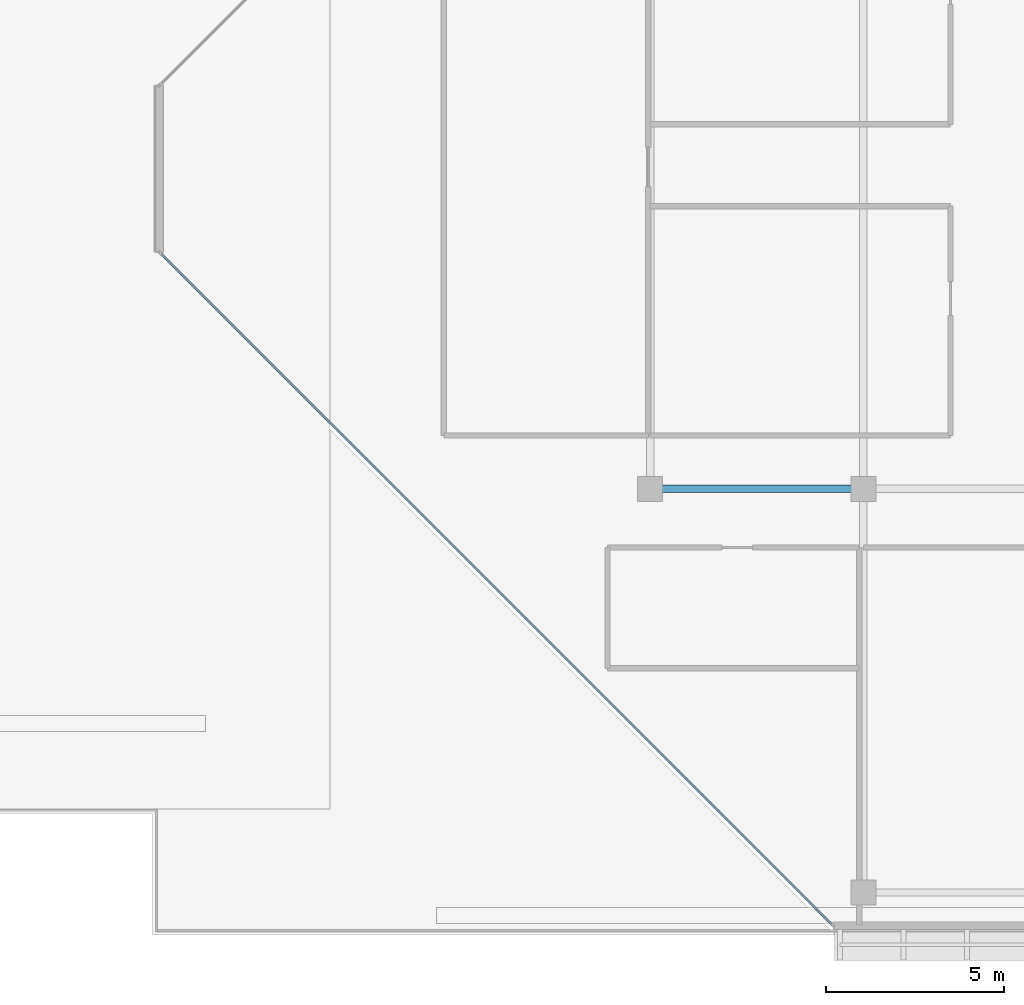
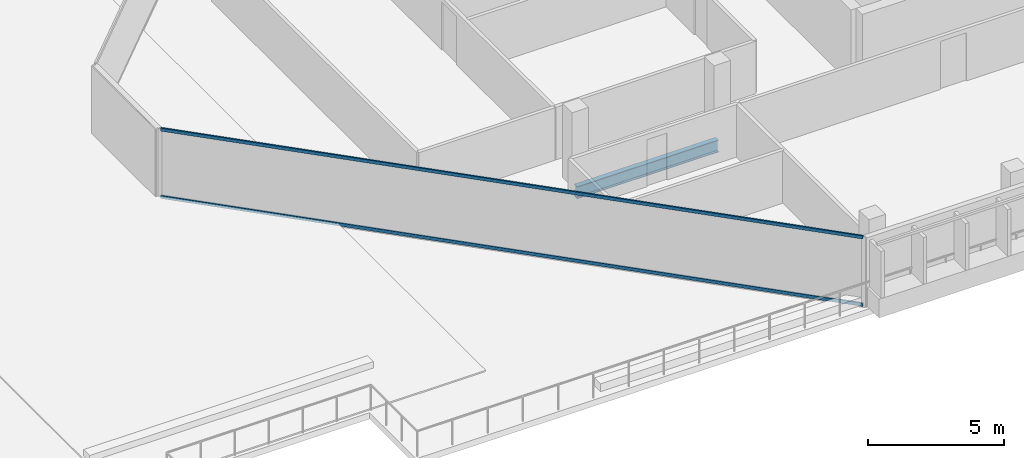
# One storey, part 9 of 30: 2 members, 1 beam, 1 element without a shape of its own.
"""IFC4 building model written with IfcOpenShell, lengths in metres."""

import ifcopenshell
import ifcopenshell.guid

model = None  # the IFC model being written
_history = None  # IfcOwnerHistory: only IFC2X3 demands one
_inside = {}  # id of a spatial element -> (the spatial element, [elements in it])
_under = {}  # id of a project, library or spatial element -> (it, [spatial elements below it])
_declared = {}  # id of a project -> (the project, [libraries it declares])
_typed = {}  # id of a type object -> (the type object, [elements of that type])
_made_of = {}  # id of a material, layer set ... -> (it, [elements and type objects made of it])


def new_model(schema):
    """Start an empty IFC model of exactly this schema.

    Asked for "IFC4X3", IfcOpenShell would pick the latest addendum, in which some entities
    have other attributes; the version numbers below select the first issue.
    IFC2X3 requires an IfcOwnerHistory on every rooted entity: one is made here for all.
    """
    global model, _history
    if schema == "IFC4X3":
        model = ifcopenshell.file(schema_version=(4, 3, 0, 0))
    else:
        model = ifcopenshell.file(schema=schema)
    _inside.clear()
    _under.clear()
    _declared.clear()
    _typed.clear()
    _made_of.clear()
    _history = None
    if model.schema == "IFC2X3":
        org = make("IfcOrganization", Name="unknown")
        user = make(
            "IfcPersonAndOrganization",
            ThePerson=make("IfcPerson", FamilyName="unknown"),
            TheOrganization=org,
        )
        app = make(
            "IfcApplication",
            ApplicationDeveloper=org,
            Version="unknown",
            ApplicationFullName="unknown",
            ApplicationIdentifier="unknown",
        )
        _history = make(
            "IfcOwnerHistory",
            OwningUser=user,
            OwningApplication=app,
            ChangeAction="ADDED",
            CreationDate=0,
        )
    return model


def make(cls, **values):
    """One entity of the class cls with the attributes given. An attribute that is None is left unset."""
    return model.create_entity(
        cls, **{name: value for name, value in values.items() if value is not None}
    )


def rooted(cls, **values):
    """An entity with a GlobalId (a new one), such as an element, a storey or a relation."""
    return make(cls, GlobalId=ifcopenshell.guid.new(), OwnerHistory=_history, **values)


def si_unit(unit_type, name, prefix=None):
    """IfcSIUnit, for example si_unit("LENGTHUNIT", "METRE", prefix="MILLI")."""
    return make("IfcSIUnit", UnitType=unit_type, Prefix=prefix, Name=name)


def assignment(units):
    """IfcUnitAssignment: the units of a project."""
    return None if units is None else make("IfcUnitAssignment", Units=units)


def point(xyz):
    """IfcCartesianPoint."""
    return None if xyz is None else make("IfcCartesianPoint", Coordinates=xyz)


def direction(xyz):
    """IfcDirection."""
    return None if xyz is None else make("IfcDirection", DirectionRatios=xyz)


def frame(location, z_axis=None, x_axis=None):
    """IfcAxis2Placement3D, a coordinate frame: its origin and axes. An axis left out is left unset."""
    return make(
        "IfcAxis2Placement3D",
        Location=point(location),
        Axis=direction(z_axis),
        RefDirection=direction(x_axis),
    )


def frame_2d(location, x_axis=None):
    """IfcAxis2Placement2D, a coordinate frame in the plane: its origin and x axis."""
    return make(
        "IfcAxis2Placement2D", Location=point(location), RefDirection=direction(x_axis)
    )


def origin():
    """The frame at (0, 0, 0) with its axes left unset."""
    return frame((0.0, 0.0, 0.0))


def origin_2d():
    """The frame at (0, 0) in the plane with its x axis left unset."""
    return frame_2d((0.0, 0.0))


def place(relative_to, where):
    """IfcLocalPlacement: puts the frame where relative to a parent placement (None: the world)."""
    return make(
        "IfcLocalPlacement", PlacementRelTo=relative_to, RelativePlacement=where
    )


def context(
    kind, dimensions, precision=None, world=None, true_north=None, identifier=None
):
    """IfcGeometricRepresentationContext, for example the 3D "Model" context."""
    return make(
        "IfcGeometricRepresentationContext",
        ContextIdentifier=identifier,
        ContextType=kind,
        CoordinateSpaceDimension=dimensions,
        Precision=precision,
        WorldCoordinateSystem=world,
        TrueNorth=true_north,
    )


def subcontext(parent, identifier, kind, view, scale=None):
    """IfcGeometricRepresentationSubContext, for example "Body" below "Model"."""
    return make(
        "IfcGeometricRepresentationSubContext",
        ContextIdentifier=identifier,
        ContextType=kind,
        ParentContext=parent,
        TargetScale=scale,
        TargetView=view,
    )


def project(units=None, contexts=None):
    """IfcProject with its units and contexts."""
    return rooted(
        "IfcProject",
        Name="project",
        RepresentationContexts=contexts,
        UnitsInContext=assignment(units),
    )


def spatial(cls, under=None, at=None, **own):
    """A site, building, storey or space (cls), placed at a placement, below another one or the project."""
    s = rooted(cls, ObjectPlacement=at, **own)
    if under is not None:
        _under.setdefault(under.id(), (under, []))[1].append(s)
    return s


def profile(cls, at=None, kind="AREA", **sizes):
    """A parametric profile (cls). Its sizes go by their IFC names, for example OverallWidth=200.0."""
    return make(cls, ProfileType=kind, Position=at, **sizes)


def hollow_rectangle(**sizes):
    """IfcRectangleHollowProfileDef."""
    return profile("IfcRectangleHollowProfileDef", **sizes)


def i_section(**sizes):
    """IfcIShapeProfileDef."""
    return profile("IfcIShapeProfileDef", **sizes)


def extrude(swept, where, along, depth):
    """IfcExtrudedAreaSolid: the profile swept, set in the frame where, extruded along a direction by depth."""
    return make(
        "IfcExtrudedAreaSolid",
        SweptArea=swept,
        Position=where,
        ExtrudedDirection=direction(along),
        Depth=depth,
    )


def shape(context_of_items, identifier, shape_type, items):
    """IfcShapeRepresentation: the items that make up one representation, for example the "Body"."""
    return make(
        "IfcShapeRepresentation",
        ContextOfItems=context_of_items,
        RepresentationIdentifier=identifier,
        RepresentationType=shape_type,
        Items=items,
    )


def material(Name=None, Category=None):
    """IfcMaterial."""
    return make("IfcMaterial", Name=Name, Category=Category)


def layer(
    of_material, thickness, ventilated=None, Name=None, Category=None, Priority=None
):
    """IfcMaterialLayer: one layer of a wall or slab, of a material (None: an air gap)."""
    return make(
        "IfcMaterialLayer",
        Material=of_material,
        LayerThickness=thickness,
        IsVentilated=ventilated,
        Name=Name,
        Category=Category,
        Priority=Priority,
    )


def layer_set(layers, Name=None):
    """IfcMaterialLayerSet."""
    return make("IfcMaterialLayerSet", MaterialLayers=layers, LayerSetName=Name)


def material_profile(
    of_material, cross_section, Name=None, Category=None, Priority=None
):
    """IfcMaterialProfile: a cross section and its material."""
    return make(
        "IfcMaterialProfile",
        Name=Name,
        Material=of_material,
        Profile=cross_section,
        Priority=Priority,
        Category=Category,
    )


def profile_set(profiles, Name=None, composite=None):
    """IfcMaterialProfileSet."""
    return make(
        "IfcMaterialProfileSet",
        Name=Name,
        MaterialProfiles=profiles,
        CompositeProfile=composite,
    )


def made_of(thing, what):
    """Note that an element or type object is made of a material, layer set ...; save() writes the relation."""
    if what is not None:
        _made_of.setdefault(what.id(), (what, []))[1].append(thing)
    return thing


def type_object(cls, material=None, **own):
    """A type object (cls), such as IfcWallType, which elements share."""
    return made_of(rooted(cls, **own), material)


def element(
    cls,
    number,
    at=None,
    inside=None,
    cuts=None,
    type_object=None,
    material=None,
    context=None,
    identifier="Body",
    shape_type=None,
    held_by="IfcProductDefinitionShape",
    body=None,
    shapes=None,
    **own,
):
    """One element of the class cls, such as IfcWall. Its Tag is "e" and its number.

    at: its placement. inside: the storey or other place that contains it. cuts: it is an
    opening in that element (IfcRelVoidsElement). A single representation is given by context,
    identifier, shape_type and body (its items); several are given by shapes. held_by: the class
    of the entity that holds the representations. save() writes the other relations.
    """
    e = rooted(cls, Tag="e%d" % number, ObjectPlacement=at, **own)
    if body is not None:
        shapes = [shape(context, identifier, shape_type, body)]
    if shapes is not None:
        e.Representation = make(held_by, Representations=shapes)
    if inside is not None:
        _inside.setdefault(inside.id(), (inside, []))[1].append(e)
    if cuts is not None:
        rooted(
            "IfcRelVoidsElement", RelatingBuildingElement=cuts, RelatedOpeningElement=e
        )
    if type_object is not None:
        _typed.setdefault(type_object.id(), (type_object, []))[1].append(e)
    return made_of(e, material)


def aggregate(whole, parts):
    """IfcRelAggregates: a whole, such as a stair, and the parts it consists of."""
    return rooted("IfcRelAggregates", RelatingObject=whole, RelatedObjects=parts)


def save(model, path):
    """Write the relations noted so far, then the file.

    IfcRelAggregates (storeys below a building ...), IfcRelContainedInSpatialStructure (elements
    in a storey), IfcRelDefinesByType, IfcRelAssociatesMaterial and IfcRelDeclares: one each for
    every whole, place, type object, material and project.
    """
    for whole, parts in _under.values():
        aggregate(whole, parts)
    for where, things in _inside.values():
        rooted(
            "IfcRelContainedInSpatialStructure",
            RelatedElements=things,
            RelatingStructure=where,
        )
    for kind, things in _typed.values():
        rooted("IfcRelDefinesByType", RelatedObjects=things, RelatingType=kind)
    for what, things in _made_of.values():
        rooted("IfcRelAssociatesMaterial", RelatedObjects=things, RelatingMaterial=what)
    for by, libraries in _declared.values():
        rooted("IfcRelDeclares", RelatingContext=by, RelatedDefinitions=libraries)
    model.write(path)


model = new_model("IFC4")

# Units and contexts
model_context = context("Model", 3, precision=1e-05, world=origin(), true_north=direction((0.0, 1.0)))
body_context = subcontext(model_context, "Body", "Model", "MODEL_VIEW")
ifc_project = project(units=[si_unit("LENGTHUNIT", "METRE"), si_unit("AREAUNIT", "SQUARE_METRE"), si_unit("VOLUMEUNIT", "CUBIC_METRE"), si_unit("PLANEANGLEUNIT", "RADIAN"), si_unit("MASSUNIT", "GRAM", prefix="KILO")], contexts=[model_context])

# Site, building, storey
site_placement = place(None, origin())
site = spatial("IfcSite", under=ifc_project, at=site_placement, CompositionType="ELEMENT")
building_placement = place(site_placement, origin())
building = spatial("IfcBuilding", under=site, at=building_placement, Name="Tanjung Sevakor Pilgrim Tower", CompositionType="ELEMENT")
storey_placement = place(building_placement, frame((0.0, 0.0, 229.35009765625)))
storey = spatial("IfcBuildingStorey", under=building, at=storey_placement, Name="L64", CompositionType="ELEMENT", Elevation=229.35009765625)

# Beam
ifc_material_1 = material(Name="Steel S355J2", Category="steel")
ifc_material_profile_1 = material_profile(ifc_material_1, i_section(OverallWidth=0.2119140625, OverallDepth=0.54443359375, WebThickness=0.0126953125, FlangeThickness=0.021240234375, FilletRadius=0.0126953125, at=origin_2d()))
ifc_profile_set_1 = profile_set([ifc_material_profile_1], Name="Steel S355J2")
beam_type = type_object("IfcBeamType", Name="BM-B-G5-UB_533x210x122", PredefinedType="BEAM", material=ifc_profile_set_1)
beam_placement = place(storey_placement, frame((66.0, 24.60009765625, -0.552490234375), z_axis=(1.0, 0.0, 0.0), x_axis=(0.0, 1.0, 0.0)))
element("IfcBeam", 1, at=beam_placement, inside=storey, type_object=beam_type, Name="L64 Primary Floor Girder EAST Y246-01", PredefinedType="BEAM", context=body_context, shape_type="SweptSolid", body=[
    extrude(i_section(OverallWidth=0.2119140625, OverallDepth=0.54443359375, WebThickness=0.0126953125, FlangeThickness=0.021240234375, FilletRadius=0.0126953125, at=origin_2d()), origin(), (0.0, 0.0, 1.0), 6.0),
])

# Curtain wall, members
ifc_material_2 = material(Name="Aluminium 6063-T6 and Low-E Glass", Category="aluminium")
ifc_layer = layer(ifc_material_2, 0.179931640625)
ifc_layer_set = layer_set([ifc_layer], Name="CW-SYS-CHAM")
curtain_wall_type = type_object("IfcCurtainWallType", Name="CW-SYS-CHAM", PredefinedType="NOTDEFINED", material=ifc_layer_set)
curtain_wall_placement = place(storey_placement, origin())
curtain_wall = element("IfcCurtainWall", 2, at=curtain_wall_placement, inside=storey, type_object=curtain_wall_type, Name="L64 Curtain Wall CW-CHM-L64-EAST-7", PredefinedType="NOTDEFINED")
ifc_material_3 = material(Name="Aluminium 6063-T6", Category="aluminium")
ifc_material_profile_2 = material_profile(ifc_material_3, hollow_rectangle(XDim=0.06494140625, YDim=0.139892578125, WallThickness=0.00390625, at=origin_2d()))
ifc_profile_set_2 = profile_set([ifc_material_profile_2], Name="Aluminium 6063-T6")
member_type = type_object("IfcMemberType", Name="TYPE-CWT-1", PredefinedType="USERDEFINED", material=ifc_profile_set_2)
member_1_placement = place(storey_placement, frame((52.255859375, 31.19970703125, 0.032470703125), z_axis=(0.707106781187, -0.707106781187, 0.0), x_axis=(0.707106781187, 0.707106781187, 0.0)))
member_1 = element("IfcMember", 3, at=member_1_placement, type_object=member_type, Name="CW-CHM transom 1.1", ObjectType="TRANSOM", PredefinedType="USERDEFINED", context=body_context, shape_type="SweptSolid", body=[
    extrude(hollow_rectangle(XDim=0.06494140625, YDim=0.139892578125, WallThickness=0.00390625, at=origin_2d()), origin(), (0.0, 0.0, 1.0), 26.649169921875),
])
member_2_placement = place(storey_placement, frame((52.255859375, 31.19970703125, 3.04736328125), z_axis=(0.707106781187, -0.707106781187, 0.0), x_axis=(0.707106781187, 0.707106781187, 0.0)))
member_2 = element("IfcMember", 4, at=member_2_placement, type_object=member_type, Name="CW-CHM transom 1.2", ObjectType="TRANSOM", PredefinedType="USERDEFINED", context=body_context, shape_type="SweptSolid", body=[
    extrude(hollow_rectangle(XDim=0.06494140625, YDim=0.139892578125, WallThickness=0.00390625, at=origin_2d()), origin(), (0.0, 0.0, 1.0), 26.649169921875),
])
aggregate(curtain_wall, [member_1, member_2])

save(model, "model.ifc")
